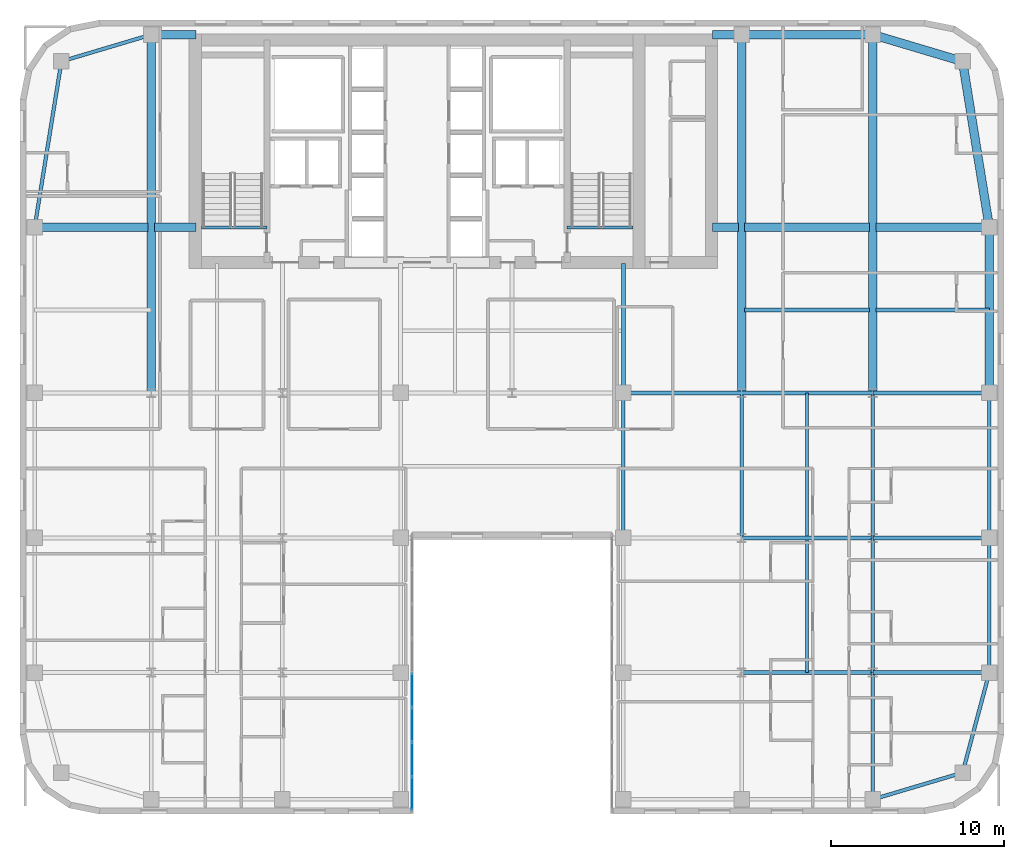
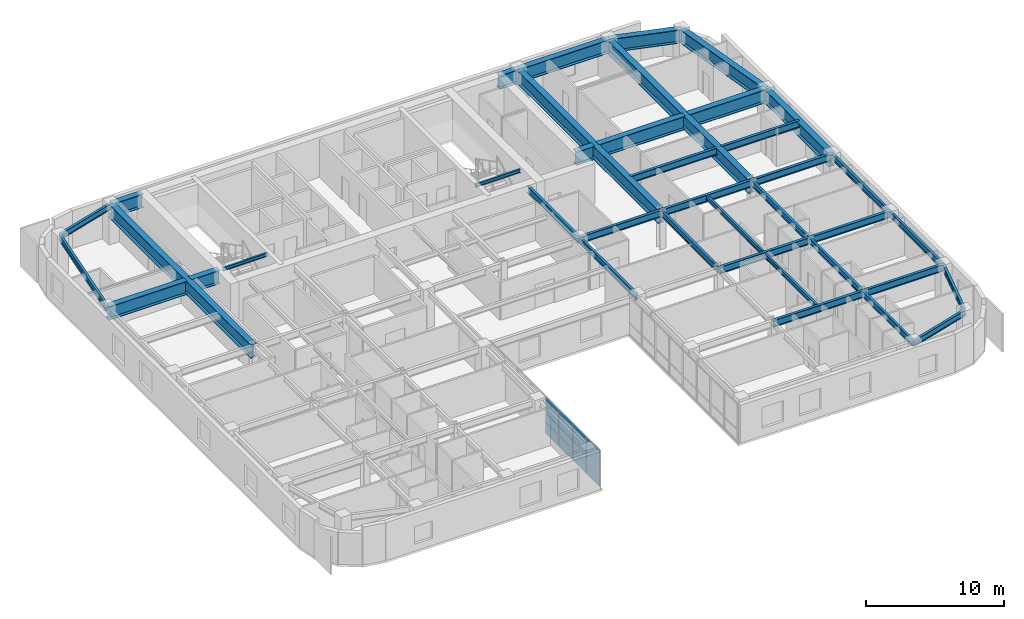
# One storey, part 8 of 17: 39 beams, 8 plates, 1 element without a shape of its own.
"""IFC4 building model written with IfcOpenShell, lengths in metres."""

from ifc_helpers import new_model, si_unit, direction, frame, origin, origin_2d, place, context, subcontext, project, spatial, rectangle, i_section, extrude, source, transform, mapped, material, layer, layer_set, material_profile, profile_set, type_object, type_shapes, element, aggregate, save


model = new_model("IFC4")

# Units and contexts
model_context = context("Model", 3, precision=1e-05, world=origin(), true_north=direction((0.0, 1.0)))
body_context = subcontext(model_context, "Body", "Model", "MODEL_VIEW")
ifc_project = project(units=[si_unit("LENGTHUNIT", "METRE"), si_unit("AREAUNIT", "SQUARE_METRE"), si_unit("VOLUMEUNIT", "CUBIC_METRE"), si_unit("PLANEANGLEUNIT", "RADIAN"), si_unit("MASSUNIT", "GRAM", prefix="KILO")], contexts=[model_context])

# Site, building, storey
site_placement = place(None, origin())
site = spatial("IfcSite", under=ifc_project, at=site_placement, CompositionType="ELEMENT")
building_placement = place(site_placement, origin())
building = spatial("IfcBuilding", under=site, at=building_placement, Name="Tolvann Quenvar Hotel", CompositionType="ELEMENT")
storey_placement = place(building_placement, frame((0.0, 0.0, 136.39990234375)))
storey = spatial("IfcBuildingStorey", under=building, at=storey_placement, Name="L35", CompositionType="ELEMENT", Elevation=136.39990234375)

# Beams
ifc_material_1 = material(Name="Steel Grade 350", Category="steel")
ifc_material_profile_1 = material_profile(ifc_material_1, i_section(OverallWidth=0.5, OverallDepth=1.199951171875, WebThickness=0.01611328125, FlangeThickness=0.0400390625, at=origin_2d()), Name="1200WB455")
ifc_profile_set_1 = profile_set([ifc_material_profile_1], Name="Steel Grade 350")
beam_type_1 = type_object("IfcBeamType", Name="BM_TG_1200WB455", PredefinedType="USERDEFINED", material=ifc_profile_set_1)
shared_shape_1 = source(origin(), body_context, "Body", "SweptSolid", [
    extrude(i_section(OverallWidth=0.5, OverallDepth=1.199951171875, WebThickness=0.01611328125, FlangeThickness=0.0400390625, at=origin_2d()), origin(), (0.0, 0.0, 1.0), 7.599853515625),
])
beam_1_placement = place(storey_placement, frame((49.39990234375, 45.14990234375, 2.77001953125), z_axis=(-1.0, 0.0, 0.0), x_axis=(0.0, -1.0, 0.0)))
element("IfcBeam", 1, at=beam_1_placement, inside=storey, type_object=beam_type_1, Name="BM-L35-FLK-E4", ObjectType="TRANSFER GIRDER", PredefinedType="USERDEFINED", context=body_context, shape_type="MappedRepresentation", body=[
    mapped(shared_shape_1, transform((0.0, 0.0, 0.0), x_axis=(1.0, 0.0, 0.0), y_axis=(0.0, 1.0, 0.0), z_axis=(0.0, 0.0, 1.0), scale=1.0)),
])
shared_shape_2 = source(origin(), body_context, "Body", "SweptSolid", [
    extrude(i_section(OverallWidth=0.5, OverallDepth=1.199951171875, WebThickness=0.01611328125, FlangeThickness=0.0400390625, at=origin_2d()), origin(), (0.0, 0.0, 1.0), 9.60009765625),
])
beam_2_placement = place(storey_placement, frame((56.14990234375, 24.39990234375, 2.77001953125), z_axis=(0.0, 1.0, 0.0), x_axis=(-1.0, 0.0, 0.0)))
element("IfcBeam", 2, at=beam_2_placement, inside=storey, type_object=beam_type_1, Name="BM-L35-FLK-E1", ObjectType="TRANSFER GIRDER", PredefinedType="USERDEFINED", context=body_context, shape_type="MappedRepresentation", body=[
    mapped(shared_shape_2, transform((0.0, 0.0, 0.0), x_axis=(1.0, 0.0, 0.0), y_axis=(0.0, 1.0, 0.0), z_axis=(0.0, 0.0, 1.0), scale=1.0)),
])
ifc_material_profile_2 = material_profile(ifc_material_1, i_section(OverallWidth=0.208984375, OverallDepth=0.528076171875, WebThickness=0.009521484375, FlangeThickness=0.01318359375, FilletRadius=0.013916015625, at=origin_2d()), Name="530UB82")
ifc_profile_set_2 = profile_set([ifc_material_profile_2], Name="Steel Grade 350")
beam_type_2 = type_object("IfcBeamType", Name="BM_SPAND_530UB82", PredefinedType="SPANDREL", material=ifc_profile_set_2)
shared_shape_3 = source(origin(), body_context, "Body", "SweptSolid", [
    extrude(i_section(OverallWidth=0.208984375, OverallDepth=0.528076171875, WebThickness=0.009521484375, FlangeThickness=0.01318359375, FilletRadius=0.013916015625, at=origin_2d()), origin(), (0.0, 0.0, 1.0), 5.42626953125),
])
for number, where, z_axis, x_axis, name in (
    (3, (49.39990234375, 0.85009765625, 3.106201171875), (0.958344815522, 0.285613750654, 0.0), (-0.285613750654, 0.958344815522, 0.0), "BM-L35-EW-2-I2-J2"),
    (4, (2.39990234375, 43.60009765625, 3.106201171875), (0.958344815522, 0.285613750654, 0.0), (-0.285613750654, 0.958344815522, 0.0), "BM-L35-FLK-W3"),
):
    element("IfcBeam", number, at=place(storey_placement, frame(where, z_axis=z_axis, x_axis=x_axis)), inside=storey, type_object=beam_type_2, Name=name, PredefinedType="SPANDREL", context=body_context, shape_type="MappedRepresentation", body=[
        mapped(shared_shape_3, transform((0.0, 0.0, 0.0), x_axis=(1.0, 0.0, 0.0), y_axis=(0.0, 1.0, 0.0), z_axis=(0.0, 0.0, 1.0), scale=1.0)),
    ])
ifc_material_profile_3 = material_profile(ifc_material_1, i_section(OverallWidth=0.22900390625, OverallDepth=0.612060546875, WebThickness=0.011962890625, FlangeThickness=0.01953125, FilletRadius=0.013916015625, at=origin_2d()), Name="610UB125")
ifc_profile_set_3 = profile_set([ifc_material_profile_3], Name="Steel Grade 350")
beam_type_3 = type_object("IfcBeamType", Name="BM_GIRD_610UB125", PredefinedType="BEAM", material=ifc_profile_set_3)
shared_shape_4 = source(origin(), body_context, "Body", "SweptSolid", [
    extrude(i_section(OverallWidth=0.22900390625, OverallDepth=0.612060546875, WebThickness=0.011962890625, FlangeThickness=0.01953125, FilletRadius=0.013916015625, at=origin_2d()), origin(), (0.0, 0.0, 1.0), 6.75),
])
for number, where, z_axis, x_axis, name in (
    (5, (49.39990234375, 8.199951171875, 3.064208984375), (1.0, 0.0, 0.0), (0.0, 1.0, 0.0), "BM-L35-EW-3-I3-J3"),
    (6, (49.39990234375, 16.0, 3.064208984375), (1.0, 0.0, 0.0), (0.0, 1.0, 0.0), "BM-L35-EW-4-I4-J4"),
    (7, (49.39990234375, 24.39990234375, 3.064208984375), (1.0, 0.0, 0.0), (0.0, 1.0, 0.0), "BM-L35-EW-5-I5-J5"),
):
    element("IfcBeam", number, at=place(storey_placement, frame(where, z_axis=z_axis, x_axis=x_axis)), inside=storey, type_object=beam_type_3, Name=name, PredefinedType="BEAM", context=body_context, shape_type="MappedRepresentation", body=[
        mapped(shared_shape_4, transform((0.0, 0.0, 0.0), x_axis=(1.0, 0.0, 0.0), y_axis=(0.0, 1.0, 0.0), z_axis=(0.0, 0.0, 1.0), scale=1.0)),
    ])
shared_shape_5 = source(origin(), body_context, "Body", "SweptSolid", [
    extrude(i_section(OverallWidth=0.22900390625, OverallDepth=0.612060546875, WebThickness=0.011962890625, FlangeThickness=0.01953125, FilletRadius=0.013916015625, at=origin_2d()), origin(), (0.0, 0.0, 1.0), 7.599853515625),
])
for number, where, z_axis, x_axis, name in (
    (8, (41.800048828125, 8.199951171875, 3.064208984375), (1.0, 0.0, 0.0), (0.0, 1.0, 0.0), "BM-L35-EW-3-H3-I3"),
    (9, (41.800048828125, 16.0, 3.064208984375), (1.0, 0.0, 0.0), (0.0, 1.0, 0.0), "BM-L35-EW-4-H4-I4"),
    (10, (41.800048828125, 24.39990234375, 3.064208984375), (1.0, 0.0, 0.0), (0.0, 1.0, 0.0), "BM-L35-EW-5-H5-I5"),
):
    element("IfcBeam", number, at=place(storey_placement, frame(where, z_axis=z_axis, x_axis=x_axis)), inside=storey, type_object=beam_type_3, Name=name, PredefinedType="BEAM", context=body_context, shape_type="MappedRepresentation", body=[
        mapped(shared_shape_5, transform((0.0, 0.0, 0.0), x_axis=(1.0, 0.0, 0.0), y_axis=(0.0, 1.0, 0.0), z_axis=(0.0, 0.0, 1.0), scale=1.0)),
    ])
shared_shape_6 = source(origin(), body_context, "Body", "SweptSolid", [
    extrude(i_section(OverallWidth=0.22900390625, OverallDepth=0.612060546875, WebThickness=0.011962890625, FlangeThickness=0.01953125, FilletRadius=0.013916015625, at=origin_2d()), origin(), (0.0, 0.0, 1.0), 6.85009765625),
])
beam_3_placement = place(storey_placement, frame((34.949951171875, 24.39990234375, 3.064208984375), z_axis=(1.0, 0.0, 0.0), x_axis=(0.0, 1.0, 0.0)))
element("IfcBeam", 11, at=beam_3_placement, inside=storey, type_object=beam_type_3, Name="BM-L35-EW-5-F5-H5", PredefinedType="BEAM", context=body_context, shape_type="MappedRepresentation", body=[
    mapped(shared_shape_6, transform((0.0, 0.0, 0.0), x_axis=(1.0, 0.0, 0.0), y_axis=(0.0, 1.0, 0.0), z_axis=(0.0, 0.0, 1.0), scale=1.0)),
])
shared_shape_7 = source(origin(), body_context, "Body", "SweptSolid", [
    extrude(i_section(OverallWidth=0.208984375, OverallDepth=0.528076171875, WebThickness=0.009521484375, FlangeThickness=0.01318359375, FilletRadius=0.013916015625, at=origin_2d()), origin(), (0.0, 0.0, 1.0), 6.00341796875),
])
beam_4_placement = place(storey_placement, frame((54.60009765625, 2.39990234375, 3.106201171875), z_axis=(0.258148586649, 0.966105225745, 0.0), x_axis=(-0.966105225745, 0.258148586649, 0.0)))
element("IfcBeam", 12, at=beam_4_placement, inside=storey, type_object=beam_type_2, Name="BM-L35-NS-J2-J3", PredefinedType="SPANDREL", context=body_context, shape_type="MappedRepresentation", body=[
    mapped(shared_shape_7, transform((0.0, 0.0, 0.0), x_axis=(1.0, 0.0, 0.0), y_axis=(0.0, 1.0, 0.0), z_axis=(0.0, 0.0, 1.0), scale=1.0)),
])
shared_shape_8 = source(origin(), body_context, "Body", "SweptSolid", [
    extrude(i_section(OverallWidth=0.208984375, OverallDepth=0.528076171875, WebThickness=0.009521484375, FlangeThickness=0.01318359375, FilletRadius=0.013916015625, at=origin_2d()), origin(), (0.0, 0.0, 1.0), 7.800048828125),
])
beam_5_placement = place(storey_placement, frame((56.14990234375, 8.199951171875, 3.106201171875), z_axis=(0.0, 1.0, 0.0), x_axis=(-1.0, 0.0, 0.0)))
element("IfcBeam", 13, at=beam_5_placement, inside=storey, type_object=beam_type_2, Name="BM-L35-NS-J3-J4", PredefinedType="SPANDREL", context=body_context, shape_type="MappedRepresentation", body=[
    mapped(shared_shape_8, transform((0.0, 0.0, 0.0), x_axis=(1.0, 0.0, 0.0), y_axis=(0.0, 1.0, 0.0), z_axis=(0.0, 0.0, 1.0), scale=1.0)),
])
shared_shape_9 = source(origin(), body_context, "Body", "SweptSolid", [
    extrude(i_section(OverallWidth=0.208984375, OverallDepth=0.528076171875, WebThickness=0.009521484375, FlangeThickness=0.01318359375, FilletRadius=0.013916015625, at=origin_2d()), origin(), (0.0, 0.0, 1.0), 8.39990234375),
])
beam_6_placement = place(storey_placement, frame((56.14990234375, 16.0, 3.106201171875), z_axis=(0.0, 1.0, 0.0), x_axis=(-1.0, 0.0, 0.0)))
element("IfcBeam", 14, at=beam_6_placement, inside=storey, type_object=beam_type_2, Name="BM-L35-NS-J4-J5", PredefinedType="SPANDREL", context=body_context, shape_type="MappedRepresentation", body=[
    mapped(shared_shape_9, transform((0.0, 0.0, 0.0), x_axis=(1.0, 0.0, 0.0), y_axis=(0.0, 1.0, 0.0), z_axis=(0.0, 0.0, 1.0), scale=1.0)),
])
ifc_material_profile_4 = material_profile(ifc_material_1, i_section(OverallWidth=0.208984375, OverallDepth=0.532958984375, WebThickness=0.01025390625, FlangeThickness=0.015625, FilletRadius=0.013916015625, at=origin_2d()), Name="530UB92")
ifc_profile_set_4 = profile_set([ifc_material_profile_4], Name="Steel Grade 350")
beam_type_4 = type_object("IfcBeamType", Name="BM_GIRD_530UB92", PredefinedType="BEAM", material=ifc_profile_set_4)
shared_shape_10 = source(origin(), body_context, "Body", "SweptSolid", [
    extrude(i_section(OverallWidth=0.208984375, OverallDepth=0.532958984375, WebThickness=0.01025390625, FlangeThickness=0.015625, FilletRadius=0.013916015625, at=origin_2d()), origin(), (0.0, 0.0, 1.0), 7.349853515625),
])
beam_7_placement = place(storey_placement, frame((49.39990234375, 0.85009765625, 3.103515625), z_axis=(0.0, 1.0, 0.0), x_axis=(-1.0, 0.0, 0.0)))
element("IfcBeam", 15, at=beam_7_placement, inside=storey, type_object=beam_type_4, Name="BM-L35-NS-I2-I3", PredefinedType="BEAM", context=body_context, shape_type="MappedRepresentation", body=[
    mapped(shared_shape_10, transform((0.0, 0.0, 0.0), x_axis=(1.0, 0.0, 0.0), y_axis=(0.0, 1.0, 0.0), z_axis=(0.0, 0.0, 1.0), scale=1.0)),
])
shared_shape_11 = source(origin(), body_context, "Body", "SweptSolid", [
    extrude(i_section(OverallWidth=0.208984375, OverallDepth=0.532958984375, WebThickness=0.01025390625, FlangeThickness=0.015625, FilletRadius=0.013916015625, at=origin_2d()), origin(), (0.0, 0.0, 1.0), 7.800048828125),
])
beam_8_placement = place(storey_placement, frame((49.39990234375, 8.199951171875, 3.103515625), z_axis=(0.0, 1.0, 0.0), x_axis=(-1.0, 0.0, 0.0)))
element("IfcBeam", 16, at=beam_8_placement, inside=storey, type_object=beam_type_4, Name="BM-L35-NS-I3-I4", PredefinedType="BEAM", context=body_context, shape_type="MappedRepresentation", body=[
    mapped(shared_shape_11, transform((0.0, 0.0, 0.0), x_axis=(1.0, 0.0, 0.0), y_axis=(0.0, 1.0, 0.0), z_axis=(0.0, 0.0, 1.0), scale=1.0)),
])
shared_shape_12 = source(origin(), body_context, "Body", "SweptSolid", [
    extrude(i_section(OverallWidth=0.208984375, OverallDepth=0.532958984375, WebThickness=0.01025390625, FlangeThickness=0.015625, FilletRadius=0.013916015625, at=origin_2d()), origin(), (0.0, 0.0, 1.0), 8.39990234375),
])
type_shapes(beam_type_4, [shared_shape_10, shared_shape_11, shared_shape_12])
for number, where, z_axis, x_axis, name in (
    (17, (34.949951171875, 16.0, 3.103515625), (0.0, 1.0, 0.0), (-1.0, 0.0, 0.0), "BM-L35-NS-F4-F5"),
    (18, (41.800048828125, 16.0, 3.103515625), (0.0, 1.0, 0.0), (-1.0, 0.0, 0.0), "BM-L35-NS-H4-H5"),
    (19, (49.39990234375, 16.0, 3.103515625), (0.0, 1.0, 0.0), (-1.0, 0.0, 0.0), "BM-L35-NS-I4-I5"),
):
    element("IfcBeam", number, at=place(storey_placement, frame(where, z_axis=z_axis, x_axis=x_axis)), inside=storey, type_object=beam_type_4, Name=name, PredefinedType="BEAM", context=body_context, shape_type="MappedRepresentation", body=[
        mapped(shared_shape_12, transform((0.0, 0.0, 0.0), x_axis=(1.0, 0.0, 0.0), y_axis=(0.0, 1.0, 0.0), z_axis=(0.0, 0.0, 1.0), scale=1.0)),
    ])
shared_shape_13 = source(origin(), body_context, "Body", "SweptSolid", [
    extrude(i_section(OverallWidth=0.22900390625, OverallDepth=0.612060546875, WebThickness=0.011962890625, FlangeThickness=0.01953125, FilletRadius=0.013916015625, at=origin_2d()), origin(), (0.0, 0.0, 1.0), 7.5),
])
beam_9_placement = place(storey_placement, frame((34.949951171875, 24.39990234375, 3.064208984375), z_axis=(0.0, 1.0, 0.0), x_axis=(-1.0, 0.0, 0.0)))
element("IfcBeam", 20, at=beam_9_placement, inside=storey, type_object=beam_type_3, Name="BM-L35-CORE-F5", PredefinedType="BEAM", context=body_context, shape_type="MappedRepresentation", body=[
    mapped(shared_shape_13, transform((0.0, 0.0, 0.0), x_axis=(1.0, 0.0, 0.0), y_axis=(0.0, 1.0, 0.0), z_axis=(0.0, 0.0, 1.0), scale=1.0)),
])
shared_shape_14 = source(origin(), body_context, "Body", "SweptSolid", [
    extrude(i_section(OverallWidth=0.208984375, OverallDepth=0.528076171875, WebThickness=0.009521484375, FlangeThickness=0.01318359375, FilletRadius=0.013916015625, at=origin_2d()), origin(), (0.0, 0.0, 1.0), 9.724365234375),
])
type_shapes(beam_type_2, [shared_shape_3, shared_shape_7, shared_shape_8, shared_shape_9, shared_shape_14])
beam_10_placement = place(storey_placement, frame((0.85009765625, 34.0, 3.106201171875), z_axis=(0.159372939192, 0.987218449105, 0.0), x_axis=(-0.987218449105, 0.159372939192, 0.0)))
element("IfcBeam", 21, at=beam_10_placement, inside=storey, type_object=beam_type_2, Name="BM-L35-FLK-W2", PredefinedType="SPANDREL", context=body_context, shape_type="MappedRepresentation", body=[
    mapped(shared_shape_14, transform((0.0, 0.0, 0.0), x_axis=(1.0, 0.0, 0.0), y_axis=(0.0, 1.0, 0.0), z_axis=(0.0, 0.0, 1.0), scale=1.0)),
])
shared_shape_15 = source(origin(), body_context, "Body", "SweptSolid", [
    extrude(i_section(OverallWidth=0.5, OverallDepth=1.199951171875, WebThickness=0.01611328125, FlangeThickness=0.0400390625, at=origin_2d()), origin(), (0.0, 0.0, 1.0), 20.75),
])
for number, where, z_axis, x_axis, name in (
    (22, (7.60009765625, 24.39990234375, 2.77001953125), (0.0, 1.0, 0.0), (-1.0, 0.0, 0.0), "BM-L35-FLK-WC"),
    (23, (41.800048828125, 24.39990234375, 2.77001953125), (0.0, 1.0, 0.0), (-1.0, 0.0, 0.0), "BM-L35-FLK-EH"),
    (24, (49.39990234375, 24.39990234375, 2.77001953125), (0.0, 1.0, 0.0), (-1.0, 0.0, 0.0), "BM-L35-FLK-EI"),
):
    element("IfcBeam", number, at=place(storey_placement, frame(where, z_axis=z_axis, x_axis=x_axis)), inside=storey, type_object=beam_type_1, Name=name, ObjectType="TRANSFER GIRDER", PredefinedType="USERDEFINED", context=body_context, shape_type="MappedRepresentation", body=[
        mapped(shared_shape_15, transform((0.0, 0.0, 0.0), x_axis=(1.0, 0.0, 0.0), y_axis=(0.0, 1.0, 0.0), z_axis=(0.0, 0.0, 1.0), scale=1.0)),
    ])
shared_shape_16 = source(origin(), body_context, "Body", "SweptSolid", [
    extrude(i_section(OverallWidth=0.5, OverallDepth=1.199951171875, WebThickness=0.01611328125, FlangeThickness=0.0400390625, at=origin_2d()), origin(), (0.0, 0.0, 1.0), 6.56982421875),
])
for number, where, z_axis, x_axis, name in (
    (25, (0.85009765625, 34.0, 2.77001953125), (1.0, 0.0, 0.0), (0.0, 1.0, 0.0), "BM-L35-CTW-MID1"),
    (26, (49.580078125, 34.0, 2.77001953125), (1.0, 0.0, 0.0), (0.0, 1.0, 0.0), "BM-L35-CTE-JD6C"),
):
    element("IfcBeam", number, at=place(storey_placement, frame(where, z_axis=z_axis, x_axis=x_axis)), inside=storey, type_object=beam_type_1, Name=name, ObjectType="TRANSFER GIRDER", PredefinedType="USERDEFINED", context=body_context, shape_type="MappedRepresentation", body=[
        mapped(shared_shape_16, transform((0.0, 0.0, 0.0), x_axis=(1.0, 0.0, 0.0), y_axis=(0.0, 1.0, 0.0), z_axis=(0.0, 0.0, 1.0), scale=1.0)),
    ])
shared_shape_17 = source(origin(), body_context, "Body", "SweptSolid", [
    extrude(i_section(OverallWidth=0.5, OverallDepth=1.199951171875, WebThickness=0.01611328125, FlangeThickness=0.0400390625, at=origin_2d()), origin(), (0.0, 0.0, 1.0), 2.419921875),
])
beam_11_placement = place(storey_placement, frame((7.780029296875, 34.0, 2.77001953125), z_axis=(1.0, 0.0, 0.0), x_axis=(0.0, 1.0, 0.0)))
element("IfcBeam", 27, at=beam_11_placement, inside=storey, type_object=beam_type_1, Name="BM-L35-CTW-MID2", ObjectType="TRANSFER GIRDER", PredefinedType="USERDEFINED", context=body_context, shape_type="MappedRepresentation", body=[
    mapped(shared_shape_17, transform((0.0, 0.0, 0.0), x_axis=(1.0, 0.0, 0.0), y_axis=(0.0, 1.0, 0.0), z_axis=(0.0, 0.0, 1.0), scale=1.0)),
])
shared_shape_18 = source(origin(), body_context, "Body", "SweptSolid", [
    extrude(i_section(OverallWidth=0.5, OverallDepth=1.199951171875, WebThickness=0.01611328125, FlangeThickness=0.0400390625, at=origin_2d()), origin(), (0.0, 0.0, 1.0), 2.599853515625),
])
beam_12_placement = place(storey_placement, frame((7.60009765625, 45.14990234375, 2.77001953125), z_axis=(1.0, 0.0, 0.0), x_axis=(0.0, 1.0, 0.0)))
element("IfcBeam", 28, at=beam_12_placement, inside=storey, type_object=beam_type_1, Name="BM-L35-CTW-CN", ObjectType="TRANSFER GIRDER", PredefinedType="USERDEFINED", context=body_context, shape_type="MappedRepresentation", body=[
    mapped(shared_shape_18, transform((0.0, 0.0, 0.0), x_axis=(1.0, 0.0, 0.0), y_axis=(0.0, 1.0, 0.0), z_axis=(0.0, 0.0, 1.0), scale=1.0)),
])
shared_shape_19 = source(origin(), body_context, "Body", "SweptSolid", [
    extrude(i_section(OverallWidth=0.5, OverallDepth=1.199951171875, WebThickness=0.01611328125, FlangeThickness=0.0400390625, at=origin_2d()), origin(), (0.0, 0.0, 1.0), 9.724365234375),
])
beam_13_placement = place(storey_placement, frame((56.14990234375, 34.0, 2.77001953125), z_axis=(-0.159372939192, 0.987218449105, 0.0), x_axis=(-0.987218449105, -0.159372939192, 0.0)))
element("IfcBeam", 29, at=beam_13_placement, inside=storey, type_object=beam_type_1, Name="BM-L35-FLK-E2", ObjectType="TRANSFER GIRDER", PredefinedType="USERDEFINED", context=body_context, shape_type="MappedRepresentation", body=[
    mapped(shared_shape_19, transform((0.0, 0.0, 0.0), x_axis=(1.0, 0.0, 0.0), y_axis=(0.0, 1.0, 0.0), z_axis=(0.0, 0.0, 1.0), scale=1.0)),
])
shared_shape_20 = source(origin(), body_context, "Body", "SweptSolid", [
    extrude(i_section(OverallWidth=0.5, OverallDepth=1.199951171875, WebThickness=0.01611328125, FlangeThickness=0.0400390625, at=origin_2d()), origin(), (0.0, 0.0, 1.0), 5.42626953125),
])
beam_14_placement = place(storey_placement, frame((54.60009765625, 43.60009765625, 2.77001953125), z_axis=(-0.958344815522, 0.285613750654, 0.0), x_axis=(-0.285613750654, -0.958344815522, 0.0)))
element("IfcBeam", 30, at=beam_14_placement, inside=storey, type_object=beam_type_1, Name="BM-L35-FLK-E3", ObjectType="TRANSFER GIRDER", PredefinedType="USERDEFINED", context=body_context, shape_type="MappedRepresentation", body=[
    mapped(shared_shape_20, transform((0.0, 0.0, 0.0), x_axis=(1.0, 0.0, 0.0), y_axis=(0.0, 1.0, 0.0), z_axis=(0.0, 0.0, 1.0), scale=1.0)),
])
shared_shape_21 = source(origin(), body_context, "Body", "SweptSolid", [
    extrude(i_section(OverallWidth=0.5, OverallDepth=1.199951171875, WebThickness=0.01611328125, FlangeThickness=0.0400390625, at=origin_2d()), origin(), (0.0, 0.0, 1.0), 1.699951171875),
])
beam_15_placement = place(storey_placement, frame((40.10009765625, 45.14990234375, 2.77001953125), z_axis=(1.0, 0.0, 0.0), x_axis=(0.0, 1.0, 0.0)))
element("IfcBeam", 31, at=beam_15_placement, inside=storey, type_object=beam_type_1, Name="BM-L35-CTE-HN", ObjectType="TRANSFER GIRDER", PredefinedType="USERDEFINED", context=body_context, shape_type="MappedRepresentation", body=[
    mapped(shared_shape_21, transform((0.0, 0.0, 0.0), x_axis=(1.0, 0.0, 0.0), y_axis=(0.0, 1.0, 0.0), z_axis=(0.0, 0.0, 1.0), scale=1.0)),
])
shared_shape_22 = source(origin(), body_context, "Body", "SweptSolid", [
    extrude(i_section(OverallWidth=0.5, OverallDepth=1.199951171875, WebThickness=0.01611328125, FlangeThickness=0.0400390625, at=origin_2d()), origin(), (0.0, 0.0, 1.0), 1.52001953125),
])
beam_16_placement = place(storey_placement, frame((40.10009765625, 34.0, 2.77001953125), z_axis=(1.0, 0.0, 0.0), x_axis=(0.0, 1.0, 0.0)))
element("IfcBeam", 32, at=beam_16_placement, inside=storey, type_object=beam_type_1, Name="BM-L35-CTE-JD6A", ObjectType="TRANSFER GIRDER", PredefinedType="USERDEFINED", context=body_context, shape_type="MappedRepresentation", body=[
    mapped(shared_shape_22, transform((0.0, 0.0, 0.0), x_axis=(1.0, 0.0, 0.0), y_axis=(0.0, 1.0, 0.0), z_axis=(0.0, 0.0, 1.0), scale=1.0)),
])
shared_shape_23 = source(origin(), body_context, "Body", "SweptSolid", [
    extrude(i_section(OverallWidth=0.5, OverallDepth=1.199951171875, WebThickness=0.01611328125, FlangeThickness=0.0400390625, at=origin_2d()), origin(), (0.0, 0.0, 1.0), 7.239990234375),
])
type_shapes(beam_type_1, [shared_shape_1, shared_shape_2, shared_shape_15, shared_shape_16, shared_shape_17, shared_shape_18, shared_shape_19, shared_shape_20, shared_shape_21, shared_shape_22, shared_shape_23])
beam_17_placement = place(storey_placement, frame((41.97998046875, 34.0, 2.77001953125), z_axis=(1.0, 0.0, 0.0), x_axis=(0.0, 1.0, 0.0)))
element("IfcBeam", 33, at=beam_17_placement, inside=storey, type_object=beam_type_1, Name="BM-L35-CTE-JD6B", ObjectType="TRANSFER GIRDER", PredefinedType="USERDEFINED", context=body_context, shape_type="MappedRepresentation", body=[
    mapped(shared_shape_23, transform((0.0, 0.0, 0.0), x_axis=(1.0, 0.0, 0.0), y_axis=(0.0, 1.0, 0.0), z_axis=(0.0, 0.0, 1.0), scale=1.0)),
])
shared_shape_24 = source(origin(), body_context, "Body", "SweptSolid", [
    extrude(i_section(OverallWidth=0.22900390625, OverallDepth=0.612060546875, WebThickness=0.011962890625, FlangeThickness=0.01953125, FilletRadius=0.013916015625, at=origin_2d()), origin(), (0.0, 0.0, 1.0), 7.239990234375),
])
beam_18_placement = place(storey_placement, frame((41.97998046875, 29.199951171875, 3.064208984375), z_axis=(1.0, 0.0, 0.0), x_axis=(0.0, 1.0, 0.0)))
element("IfcBeam", 34, at=beam_18_placement, inside=storey, type_object=beam_type_3, Name="BM-L35-EW-HI29", PredefinedType="BEAM", context=body_context, shape_type="MappedRepresentation", body=[
    mapped(shared_shape_24, transform((0.0, 0.0, 0.0), x_axis=(1.0, 0.0, 0.0), y_axis=(0.0, 1.0, 0.0), z_axis=(0.0, 0.0, 1.0), scale=1.0)),
])
shared_shape_25 = source(origin(), body_context, "Body", "SweptSolid", [
    extrude(i_section(OverallWidth=0.22900390625, OverallDepth=0.612060546875, WebThickness=0.011962890625, FlangeThickness=0.01953125, FilletRadius=0.013916015625, at=origin_2d()), origin(), (0.0, 0.0, 1.0), 6.56982421875),
])
type_shapes(beam_type_3, [shared_shape_4, shared_shape_5, shared_shape_6, shared_shape_13, shared_shape_24, shared_shape_25])
beam_19_placement = place(storey_placement, frame((49.580078125, 29.199951171875, 3.064208984375), z_axis=(1.0, 0.0, 0.0), x_axis=(0.0, 1.0, 0.0)))
element("IfcBeam", 35, at=beam_19_placement, inside=storey, type_object=beam_type_3, Name="BM-L35-EW-IJ29", PredefinedType="BEAM", context=body_context, shape_type="MappedRepresentation", body=[
    mapped(shared_shape_25, transform((0.0, 0.0, 0.0), x_axis=(1.0, 0.0, 0.0), y_axis=(0.0, 1.0, 0.0), z_axis=(0.0, 0.0, 1.0), scale=1.0)),
])
ifc_material_profile_5 = material_profile(ifc_material_1, i_section(OverallWidth=0.177978515625, OverallDepth=0.406005859375, WebThickness=0.0078125, FlangeThickness=0.0126953125, FilletRadius=0.011474609375, at=origin_2d()), Name="410UB60")
ifc_profile_set_5 = profile_set([ifc_material_profile_5], Name="Steel Grade 350")
beam_type_5 = type_object("IfcBeamType", Name="BM_JOIST_410UB60", PredefinedType="JOIST", material=ifc_profile_set_5)
shared_shape_26 = source(origin(), body_context, "Body", "SweptSolid", [
    extrude(i_section(OverallWidth=0.177978515625, OverallDepth=0.406005859375, WebThickness=0.0078125, FlangeThickness=0.0126953125, FilletRadius=0.011474609375, at=origin_2d()), origin(), (0.0, 0.0, 1.0), 7.691650390625),
])
beam_20_placement = place(storey_placement, frame((45.60009765625, 8.199951171875, 3.1669921875), z_axis=(0.0, 1.0, 0.0), x_axis=(-1.0, 0.0, 0.0)))
element("IfcBeam", 36, at=beam_20_placement, inside=storey, type_object=beam_type_5, Name="BJ-L35-456-82", PredefinedType="JOIST", context=body_context, shape_type="MappedRepresentation", body=[
    mapped(shared_shape_26, transform((0.0, 0.0, 0.0), x_axis=(1.0, 0.0, 0.0), y_axis=(0.0, 1.0, 0.0), z_axis=(0.0, 0.0, 1.0), scale=1.0)),
])
shared_shape_27 = source(origin(), body_context, "Body", "SweptSolid", [
    extrude(i_section(OverallWidth=0.177978515625, OverallDepth=0.406005859375, WebThickness=0.0078125, FlangeThickness=0.0126953125, FilletRadius=0.011474609375, at=origin_2d()), origin(), (0.0, 0.0, 1.0), 8.29150390625),
])
type_shapes(beam_type_5, [shared_shape_26, shared_shape_27])
beam_21_placement = place(storey_placement, frame((45.60009765625, 16.1083984375, 3.1669921875), z_axis=(0.0, 1.0, 0.0), x_axis=(-1.0, 0.0, 0.0)))
element("IfcBeam", 37, at=beam_21_placement, inside=storey, type_object=beam_type_5, Name="BJ-L35-456-160", PredefinedType="JOIST", context=body_context, shape_type="MappedRepresentation", body=[
    mapped(shared_shape_27, transform((0.0, 0.0, 0.0), x_axis=(1.0, 0.0, 0.0), y_axis=(0.0, 1.0, 0.0), z_axis=(0.0, 0.0, 1.0), scale=1.0)),
])
ifc_material_profile_6 = material_profile(ifc_material_1, i_section(OverallWidth=0.166015625, OverallDepth=0.306884765625, WebThickness=0.006591796875, FlangeThickness=0.01171875, FilletRadius=0.011474609375, at=origin_2d()), Name="310UB46")
ifc_profile_set_6 = profile_set([ifc_material_profile_6], Name="Steel Grade 350")
beam_type_6 = type_object("IfcBeamType", Name="BM_JOIST_310UB46", PredefinedType="JOIST", material=ifc_profile_set_6)
shared_shape_28 = source(origin(), body_context, "Body", "SweptSolid", [
    extrude(i_section(OverallWidth=0.166015625, OverallDepth=0.306884765625, WebThickness=0.006591796875, FlangeThickness=0.01171875, FilletRadius=0.011474609375, at=origin_2d()), origin(), (0.0, 0.0, 1.0), 3.800048828125),
])
type_shapes(beam_type_6, [shared_shape_28])
for number, where, z_axis, x_axis, name in (
    (38, (10.5, 33.97998046875, 3.216552734375), (1.0, 0.0, 0.0), (0.0, 1.0, 0.0), "BM-HDR-STC1-L36"),
    (39, (31.699951171875, 33.97998046875, 3.216552734375), (1.0, 0.0, 0.0), (0.0, 1.0, 0.0), "BM-HDR-STC2-L36"),
):
    element("IfcBeam", number, at=place(storey_placement, frame(where, z_axis=z_axis, x_axis=x_axis)), inside=storey, type_object=beam_type_6, Name=name, PredefinedType="JOIST", context=body_context, shape_type="MappedRepresentation", body=[
        mapped(shared_shape_28, transform((0.0, 0.0, 0.0), x_axis=(1.0, 0.0, 0.0), y_axis=(0.0, 1.0, 0.0), z_axis=(0.0, 0.0, 1.0), scale=1.0)),
    ])

# Curtain wall, plates
ifc_material_2 = material(Name="Thermally broken anodised architectural aluminium 6063-T6 and laminated low-E glass", Category="aluminium")
ifc_layer_1 = layer(ifc_material_2, 0.179931640625)
ifc_layer_set_1 = layer_set([ifc_layer_1], Name="Thermally broken anodised architectural aluminium 6063-T6 and laminated low-E glass")
curtain_wall_type = type_object("IfcCurtainWallType", Name="CW_SYS_SLOT_03", PredefinedType="USERDEFINED", material=ifc_layer_set_1)
curtain_wall_placement = place(storey_placement, origin())
curtain_wall = element("IfcCurtainWall", 40, at=curtain_wall_placement, inside=storey, type_object=curtain_wall_type, Name="Curtain Wall CW-SLOT-03 (CWR-L35-E05)", ObjectType="UNITISED CURTAIN WALL", PredefinedType="USERDEFINED")
ifc_material_3 = material(Name="Low-iron laminated double glazing with solar-control coating", Category="glass")
ifc_layer_2 = layer(ifc_material_3, 0.028076171875)
ifc_layer_set_2 = layer_set([ifc_layer_2], Name="Low-iron laminated double glazing with solar-control coating")
plate_type = type_object("IfcPlateType", Name="CW_PAN_VISION_28", PredefinedType="CURTAIN_PANEL", material=ifc_layer_set_2)
shared_shape_29 = source(origin(), body_context, "Body", "SweptSolid", [
    extrude(rectangle(XDim=1.89501953125, YDim=0.028076171875, at=origin_2d()), origin(), (0.0, 0.0, 1.0), 0.9599609375),
])
plate_1_placement = place(storey_placement, frame((22.7099609375, 1.1923828125, 0.06005859375), z_axis=(0.0, 0.0, 1.0), x_axis=(0.0, 1.0, 0.0)))
plate_1 = element("IfcPlate", 41, at=plate_1_placement, type_object=plate_type, Name="CW-SLOT-03 panel 1.1", PredefinedType="CURTAIN_PANEL", context=body_context, shape_type="MappedRepresentation", body=[
    mapped(shared_shape_29, transform((0.0, 0.0, 0.0), x_axis=(1.0, 0.0, 0.0), y_axis=(0.0, 1.0, 0.0), z_axis=(0.0, 0.0, 1.0), scale=1.0)),
])
shared_shape_30 = source(origin(), body_context, "Body", "SweptSolid", [
    extrude(rectangle(XDim=1.89501953125, YDim=0.028076171875, at=origin_2d()), origin(), (0.0, 0.0, 1.0), 2.22998046875),
])
plate_2_placement = place(storey_placement, frame((22.7099609375, 1.1923828125, 1.080078125), z_axis=(0.0, 0.0, 1.0), x_axis=(0.0, 1.0, 0.0)))
plate_2 = element("IfcPlate", 42, at=plate_2_placement, type_object=plate_type, Name="CW-SLOT-03 panel 1.2", PredefinedType="CURTAIN_PANEL", context=body_context, shape_type="MappedRepresentation", body=[
    mapped(shared_shape_30, transform((0.0, 0.0, 0.0), x_axis=(1.0, 0.0, 0.0), y_axis=(0.0, 1.0, 0.0), z_axis=(0.0, 0.0, 1.0), scale=1.0)),
])
shared_shape_31 = source(origin(), body_context, "Body", "SweptSolid", [
    extrude(rectangle(XDim=1.929931640625, YDim=0.028076171875, at=origin_2d()), origin(), (0.0, 0.0, 1.0), 0.9599609375),
])
plate_3_placement = place(storey_placement, frame((22.7099609375, 3.175048828125, 0.06005859375), z_axis=(0.0, 0.0, 1.0), x_axis=(0.0, 1.0, 0.0)))
plate_3 = element("IfcPlate", 43, at=plate_3_placement, type_object=plate_type, Name="CW-SLOT-03 panel 2.1", PredefinedType="CURTAIN_PANEL", context=body_context, shape_type="MappedRepresentation", body=[
    mapped(shared_shape_31, transform((0.0, 0.0, 0.0), x_axis=(1.0, 0.0, 0.0), y_axis=(0.0, 1.0, 0.0), z_axis=(0.0, 0.0, 1.0), scale=1.0)),
])
plate_4_placement = place(storey_placement, frame((22.7099609375, 5.175048828125, 0.06005859375), z_axis=(0.0, 0.0, 1.0), x_axis=(0.0, 1.0, 0.0)))
plate_4 = element("IfcPlate", 44, at=plate_4_placement, type_object=plate_type, Name="CW-SLOT-03 panel 3.1", PredefinedType="CURTAIN_PANEL", context=body_context, shape_type="MappedRepresentation", body=[
    mapped(shared_shape_31, transform((0.0, 0.0, 0.0), x_axis=(1.0, 0.0, 0.0), y_axis=(0.0, 1.0, 0.0), z_axis=(0.0, 0.0, 1.0), scale=1.0)),
])
plate_5_placement = place(storey_placement, frame((22.7099609375, 7.175048828125, 0.06005859375), z_axis=(0.0, 0.0, 1.0), x_axis=(0.0, 1.0, 0.0)))
plate_5 = element("IfcPlate", 45, at=plate_5_placement, type_object=plate_type, Name="CW-SLOT-03 panel 4.1", PredefinedType="CURTAIN_PANEL", context=body_context, shape_type="MappedRepresentation", body=[
    mapped(shared_shape_31, transform((0.0, 0.0, 0.0), x_axis=(1.0, 0.0, 0.0), y_axis=(0.0, 1.0, 0.0), z_axis=(0.0, 0.0, 1.0), scale=1.0)),
])
shared_shape_32 = source(origin(), body_context, "Body", "SweptSolid", [
    extrude(rectangle(XDim=1.929931640625, YDim=0.028076171875, at=origin_2d()), origin(), (0.0, 0.0, 1.0), 2.22998046875),
])
type_shapes(plate_type, [shared_shape_29, shared_shape_30, shared_shape_31, shared_shape_32])
plate_6_placement = place(storey_placement, frame((22.7099609375, 3.175048828125, 1.080078125), z_axis=(0.0, 0.0, 1.0), x_axis=(0.0, 1.0, 0.0)))
plate_6 = element("IfcPlate", 46, at=plate_6_placement, type_object=plate_type, Name="CW-SLOT-03 panel 2.2", PredefinedType="CURTAIN_PANEL", context=body_context, shape_type="MappedRepresentation", body=[
    mapped(shared_shape_32, transform((0.0, 0.0, 0.0), x_axis=(1.0, 0.0, 0.0), y_axis=(0.0, 1.0, 0.0), z_axis=(0.0, 0.0, 1.0), scale=1.0)),
])
plate_7_placement = place(storey_placement, frame((22.7099609375, 5.175048828125, 1.080078125), z_axis=(0.0, 0.0, 1.0), x_axis=(0.0, 1.0, 0.0)))
plate_7 = element("IfcPlate", 47, at=plate_7_placement, type_object=plate_type, Name="CW-SLOT-03 panel 3.2", PredefinedType="CURTAIN_PANEL", context=body_context, shape_type="MappedRepresentation", body=[
    mapped(shared_shape_32, transform((0.0, 0.0, 0.0), x_axis=(1.0, 0.0, 0.0), y_axis=(0.0, 1.0, 0.0), z_axis=(0.0, 0.0, 1.0), scale=1.0)),
])
plate_8_placement = place(storey_placement, frame((22.7099609375, 7.175048828125, 1.080078125), z_axis=(0.0, 0.0, 1.0), x_axis=(0.0, 1.0, 0.0)))
plate_8 = element("IfcPlate", 48, at=plate_8_placement, type_object=plate_type, Name="CW-SLOT-03 panel 4.2", PredefinedType="CURTAIN_PANEL", context=body_context, shape_type="MappedRepresentation", body=[
    mapped(shared_shape_32, transform((0.0, 0.0, 0.0), x_axis=(1.0, 0.0, 0.0), y_axis=(0.0, 1.0, 0.0), z_axis=(0.0, 0.0, 1.0), scale=1.0)),
])
aggregate(curtain_wall, [plate_1, plate_2, plate_3, plate_6, plate_4, plate_7, plate_5, plate_8])

save(model, "model.ifc")
